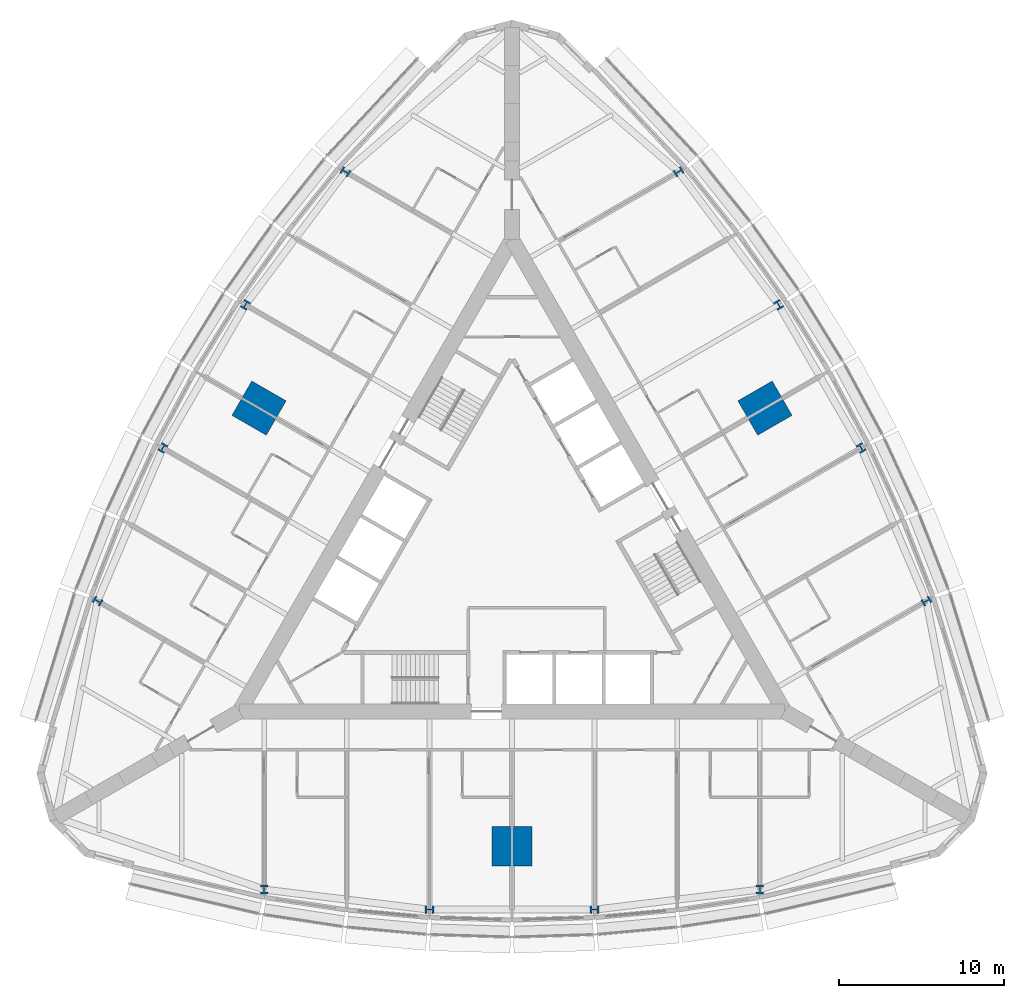
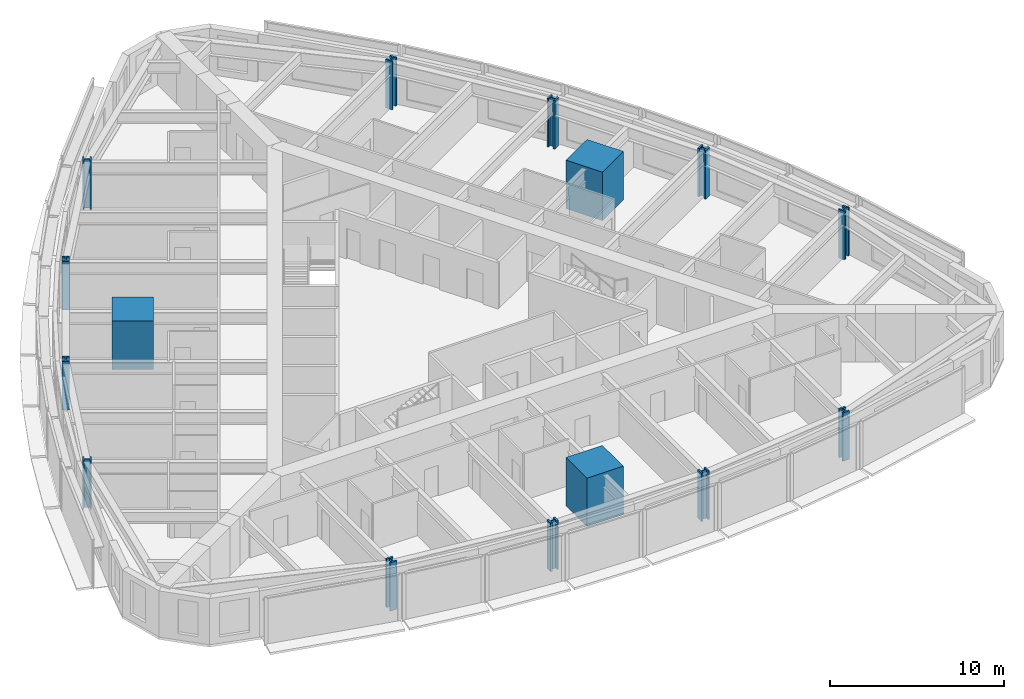
# One storey, part 1 of 14: 15 columns.
"""IFC4 building model written with IfcOpenShell, lengths in metres."""

from ifc_helpers import new_model, si_unit, direction, frame, origin, origin_2d, place, context, subcontext, project, spatial, rectangle, i_section, extrude, material, material_profile, profile_set, type_object, element, save


model = new_model("IFC4")

# Units and contexts
model_context = context("Model", 3, precision=1e-05, world=origin(), true_north=direction((0.0, 1.0)))
body_context = subcontext(model_context, "Body", "Model", "MODEL_VIEW")
ifc_project = project(units=[si_unit("LENGTHUNIT", "METRE"), si_unit("AREAUNIT", "SQUARE_METRE"), si_unit("VOLUMEUNIT", "CUBIC_METRE"), si_unit("PLANEANGLEUNIT", "RADIAN"), si_unit("MASSUNIT", "GRAM", prefix="KILO")], contexts=[model_context])

# Site, building, storey
site_placement = place(None, origin())
site = spatial("IfcSite", under=ifc_project, at=site_placement, CompositionType="ELEMENT")
building_placement = place(site_placement, origin())
building = spatial("IfcBuilding", under=site, at=building_placement, Name="Trikona Tower", CompositionType="ELEMENT")
storey_placement = place(building_placement, frame((0.0, 0.0, 96.5)))
storey = spatial("IfcBuildingStorey", under=building, at=storey_placement, Name="L25", CompositionType="ELEMENT", Elevation=96.5)

# Columns
ifc_material_1 = material(Name="Concrete f'c 10000 psi with encased steel section", Category="concrete")
ifc_material_profile_1 = material_profile(ifc_material_1, rectangle(XDim=2.39990234375, YDim=2.39990234375, at=origin_2d()), Name="MC2400")
ifc_profile_set_1 = profile_set([ifc_material_profile_1], Name="Concrete f'c 10000 psi with encased steel section")
column_type_1 = type_object("IfcColumnType", Name="Composite mega column 2400x2400", PredefinedType="COLUMN", material=ifc_profile_set_1)
for number, where, z_axis, x_axis, name in (
    (1, (0.0, -17.680419921875, 0.0), (0.0, 0.0, 1.0), (0.0, -1.0, 0.0), "Mega column MC1"),
    (2, (15.311767578125, 8.84033203125, 0.0), (0.0, 0.0, 1.0), (0.866025403784, 0.5, 0.0), "Mega column MC2"),
    (3, (-15.311767578125, 8.84033203125, 0.0), (0.0, 0.0, 1.0), (-0.866025403784, 0.5, 0.0), "Mega column MC3"),
):
    element("IfcColumn", number, at=place(storey_placement, frame(where, z_axis=z_axis, x_axis=x_axis)), inside=storey, type_object=column_type_1, Name=name, PredefinedType="COLUMN", context=body_context, shape_type="SweptSolid", body=[
        extrude(rectangle(XDim=2.39990234375, YDim=2.39990234375, at=origin_2d()), origin(), (0.0, 0.0, 1.0), 3.39990234375),
    ])
ifc_material_2 = material(Name="Steel ASTM A992 Grade 50", Category="steel")
ifc_material_profile_2 = material_profile(ifc_material_2, i_section(OverallWidth=0.44189453125, OverallDepth=0.53076171875, WebThickness=0.06591796875, FlangeThickness=0.105712890625, at=origin_2d()), Name="W14X605")
ifc_profile_set_2 = profile_set([ifc_material_profile_2], Name="Steel ASTM A992 Grade 50")
column_type_2 = type_object("IfcColumnType", Name="Steel column W14x605", PredefinedType="COLUMN", material=ifc_profile_set_2)
for number, where, z_axis, x_axis, name in (
    (4, (-15.0, -20.302978515625, 0.0), (0.0, 0.0, 1.0), (1.0, 0.0, 0.0), "Column F0m15"),
    (5, (-5.0, -21.5205078125, 0.0), (0.0, 0.0, 1.0), (0.0, -1.0, 0.0), "Column F0m5"),
    (6, (5.0, -21.5205078125, 0.0), (0.0, 0.0, 1.0), (0.0, -1.0, 0.0), "Column F0p5"),
    (7, (15.0, -20.302978515625, 0.0), (0.0, 0.0, 1.0), (1.0, 0.0, 0.0), "Column F0p15"),
    (8, (25.0830078125, -2.8388671875, 0.0), (0.0, 0.0, 1.0), (-0.5, 0.866025403784, 0.0), "Column F1m15"),
    (9, (21.13720703125, 6.43017578125, 0.0), (0.0, 0.0, 1.0), (0.866025403784, 0.5, 0.0), "Column F1m5"),
    (10, (16.13720703125, 15.09033203125, 0.0), (0.0, 0.0, 1.0), (0.866025403784, 0.5, 0.0), "Column F1p5"),
    (11, (10.0830078125, 23.141845703125, 0.0), (0.0, 0.0, 1.0), (-0.5, 0.866025403784, 0.0), "Column F1p15"),
    (12, (-10.0830078125, 23.141845703125, 0.0), (0.0, 0.0, 1.0), (-0.5, -0.866025403784, 0.0), "Column F2m15"),
    (13, (-16.13720703125, 15.09033203125, 0.0), (0.0, 0.0, 1.0), (-0.866025403784, 0.5, 0.0), "Column F2m5"),
    (14, (-21.13720703125, 6.43017578125, 0.0), (0.0, 0.0, 1.0), (-0.866025403784, 0.5, 0.0), "Column F2p5"),
    (15, (-25.0830078125, -2.8388671875, 0.0), (0.0, 0.0, 1.0), (-0.5, -0.866025403784, 0.0), "Column F2p15"),
):
    element("IfcColumn", number, at=place(storey_placement, frame(where, z_axis=z_axis, x_axis=x_axis)), inside=storey, type_object=column_type_2, Name=name, PredefinedType="COLUMN", context=body_context, shape_type="SweptSolid", body=[
        extrude(i_section(OverallWidth=0.44189453125, OverallDepth=0.53076171875, WebThickness=0.06591796875, FlangeThickness=0.105712890625, at=origin_2d()), origin(), (0.0, 0.0, 1.0), 3.39990234375),
    ])

save(model, "model.ifc")
